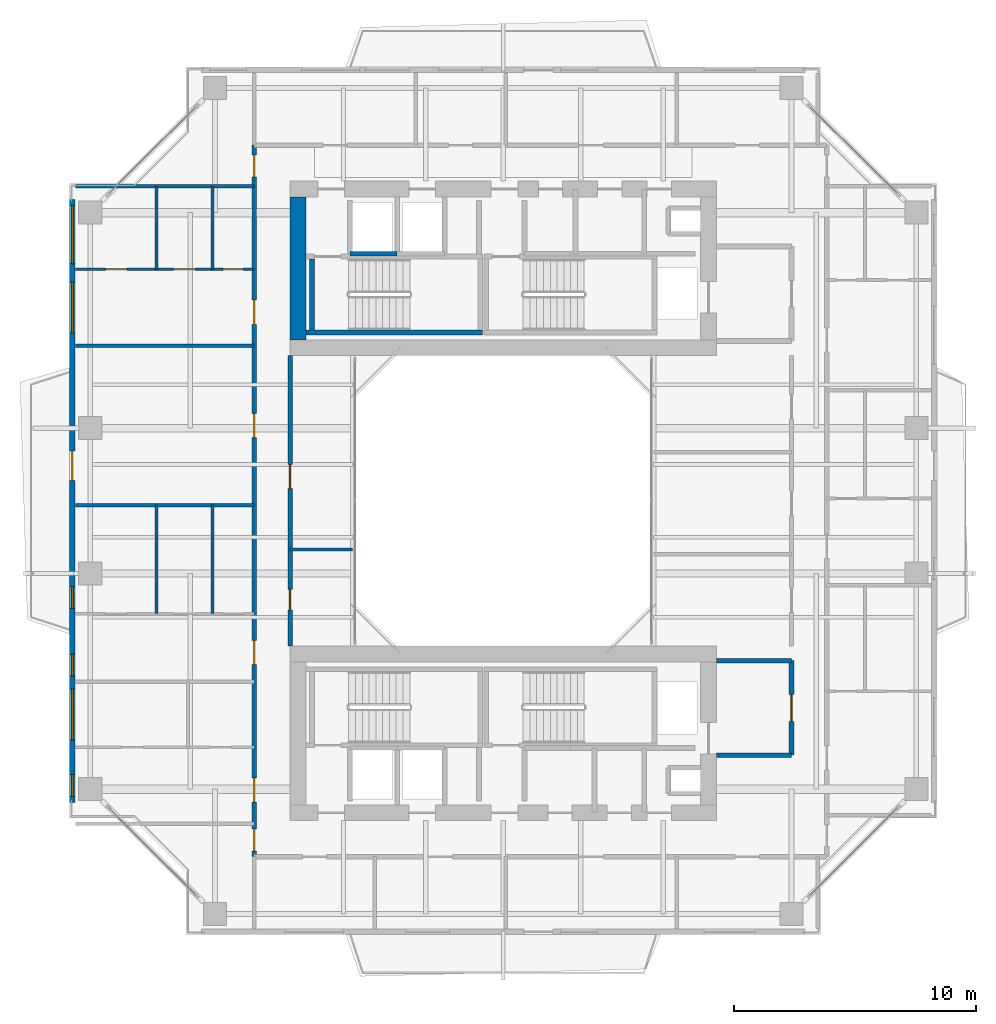
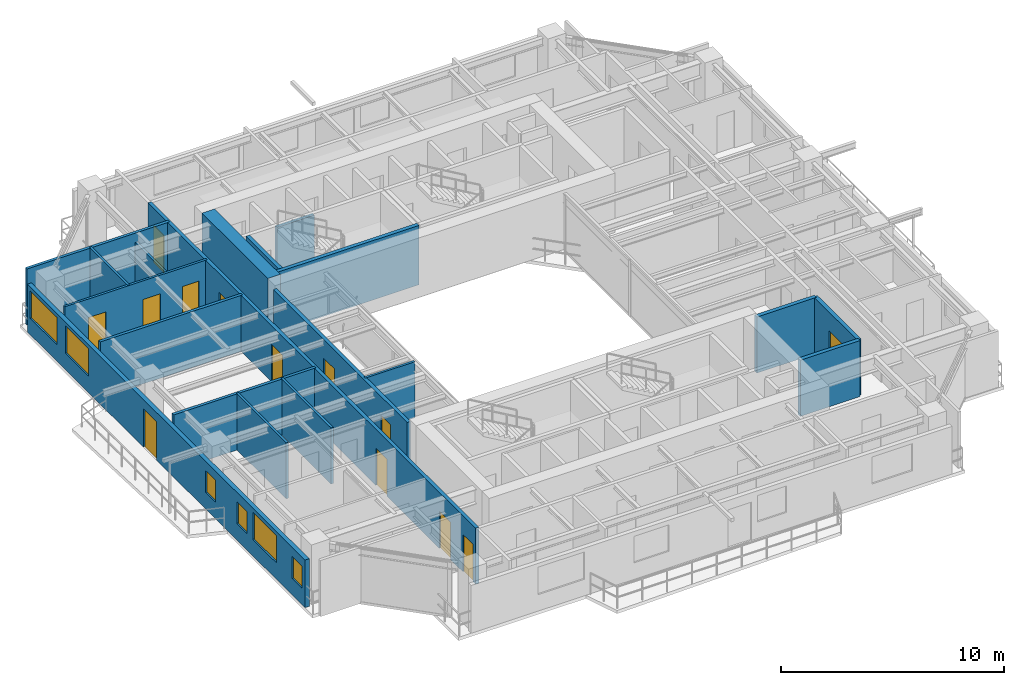
# One storey, part 12 of 18: 19 walls, 13 doors, 6 windows, 19 openings.
"""IFC4 building model written with IfcOpenShell, lengths in metres."""

from ifc_helpers import new_model, si_unit, direction, frame, frame_2d, origin, place, context, subcontext, project, spatial, rectangle, extrude, source, transform, mapped, material, layer, layer_set, type_object, element, fill, save


model = new_model("IFC4")

# Units and contexts
model_context = context("Model", 3, precision=1e-05, world=origin(), true_north=direction((0.0, 1.0)))
body_context = subcontext(model_context, "Body", "Model", "MODEL_VIEW")
ifc_project = project(units=[si_unit("LENGTHUNIT", "METRE"), si_unit("AREAUNIT", "SQUARE_METRE"), si_unit("VOLUMEUNIT", "CUBIC_METRE"), si_unit("PLANEANGLEUNIT", "RADIAN"), si_unit("MASSUNIT", "GRAM", prefix="KILO"), si_unit("THERMODYNAMICTEMPERATUREUNIT", "KELVIN"), si_unit("POWERUNIT", "WATT")], contexts=[model_context])

# Site, building, storey
site_placement = place(None, origin())
site = spatial("IfcSite", under=ifc_project, at=site_placement, CompositionType="ELEMENT")
building_placement = place(site_placement, origin())
building = spatial("IfcBuilding", under=site, at=building_placement, Name="Qiaomeng Ring Towers", CompositionType="ELEMENT")
storey_placement = place(building_placement, frame((0.0, 0.0, 179.5)))
storey = spatial("IfcBuildingStorey", under=building, at=storey_placement, Name="L52", CompositionType="ELEMENT", Elevation=179.5)

# Wall, openings, windows, door
ifc_material_1 = material(Name="Precast concrete C40", Category="concrete")
ifc_layer_1 = layer(ifc_material_1, 0.219970703125, Name="Precast concrete C40")
ifc_layer_set_1 = layer_set([ifc_layer_1], Name="Precast concrete C40")
wall_type_1 = type_object("IfcWallType", Name="ARC-WL-EW2", PredefinedType="STANDARD", material=ifc_layer_set_1)
wall_1_placement = place(storey_placement, frame((1.2099609375, 10.550048828125, 0.0), z_axis=(0.0, 0.0, 1.0), x_axis=(0.0, 1.0, 0.0)))
wall_1 = element("IfcWall", 1, at=wall_1_placement, inside=storey, type_object=wall_type_1, Name="L52 Tower 1 W Exterior Wall", PredefinedType="STANDARD", context=body_context, shape_type="SweptSolid", body=[
    extrude(rectangle(XDim=24.89990234375, YDim=0.219970703125, at=frame_2d((12.449951171875, 0.0))), origin(), (0.0, 0.0, 1.0), 2.610107421875),
])
opening_1_placement = place(wall_1_placement, frame((13.300048828125, 0.0, 0.0)))
opening_1 = element("IfcOpeningElement", 2, at=opening_1_placement, cuts=wall_1, Name="Opening BD1", PredefinedType="OPENING", context=body_context, shape_type="SweptSolid", body=[
    extrude(rectangle(XDim=1.199951171875, YDim=2.10009765625, at=frame_2d((0.60009765625, 1.050048828125))), frame((0.0, 0.119873046875, 0.0), z_axis=(0.0, -1.0, 0.0), x_axis=(1.0, 0.0, 0.0)), (0.0, 0.0, 1.0), 0.239990234375),
])
opening_2_placement = place(wall_1_placement, frame((2.572509765625, 0.0, 0.89990234375)))
opening_2 = element("IfcOpeningElement", 3, at=opening_2_placement, cuts=wall_1, Name="Opening WN4", PredefinedType="OPENING", context=body_context, shape_type="SweptSolid", body=[
    extrude(rectangle(XDim=2.10009765625, YDim=1.5, at=frame_2d((1.050048828125, 0.75))), frame((0.0, 0.119873046875, 0.0), z_axis=(0.0, -1.0, 0.0), x_axis=(1.0, 0.0, 0.0)), (0.0, 0.0, 1.0), 0.239990234375),
])
opening_3_placement = place(wall_1_placement, frame((19.387451171875, 0.0, 0.89990234375)))
opening_3 = element("IfcOpeningElement", 4, at=opening_3_placement, cuts=wall_1, Name="Opening WN4", PredefinedType="OPENING", context=body_context, shape_type="SweptSolid", body=[
    extrude(rectangle(XDim=2.10009765625, YDim=1.5, at=frame_2d((1.050048828125, 0.75))), frame((0.0, 0.119873046875, 0.0), z_axis=(0.0, -1.0, 0.0), x_axis=(1.0, 0.0, 0.0)), (0.0, 0.0, 1.0), 0.239990234375),
])
opening_4_placement = place(wall_1_placement, frame((22.239990234375, 0.0, 0.89990234375)))
opening_4 = element("IfcOpeningElement", 5, at=opening_4_placement, cuts=wall_1, Name="Opening WN6", PredefinedType="OPENING", context=body_context, shape_type="SweptSolid", body=[
    extrude(rectangle(XDim=2.39990234375, YDim=1.5, at=frame_2d((1.199951171875, 0.75))), frame((0.0, 0.119873046875, 0.0), z_axis=(0.0, -1.0, 0.0), x_axis=(1.0, 0.0, 0.0)), (0.0, 0.0, 1.0), 0.239990234375),
])
opening_5_placement = place(wall_1_placement, frame((0.25, 0.0, 0.89990234375)))
opening_5 = element("IfcOpeningElement", 6, at=opening_5_placement, cuts=wall_1, Name="Opening WN5", PredefinedType="OPENING", context=body_context, shape_type="SweptSolid", body=[
    extrude(rectangle(XDim=0.89990234375, YDim=1.199951171875, at=frame_2d((0.449951171875, 0.60009765625))), frame((0.0, 0.119873046875, 0.0), z_axis=(0.0, -1.0, 0.0), x_axis=(1.0, 0.0, 0.0)), (0.0, 0.0, 1.0), 0.239990234375),
])
opening_6_placement = place(wall_1_placement, frame((8.010009765625, 0.0, 0.89990234375)))
opening_6 = element("IfcOpeningElement", 7, at=opening_6_placement, cuts=wall_1, Name="Opening WN5", PredefinedType="OPENING", context=body_context, shape_type="SweptSolid", body=[
    extrude(rectangle(XDim=0.89990234375, YDim=1.199951171875, at=frame_2d((0.449951171875, 0.60009765625))), frame((0.0, 0.119873046875, 0.0), z_axis=(0.0, -1.0, 0.0), x_axis=(1.0, 0.0, 0.0)), (0.0, 0.0, 1.0), 0.239990234375),
])
opening_7_placement = place(wall_1_placement, frame((5.215087890625, 0.0, 0.89990234375)))
opening_7 = element("IfcOpeningElement", 8, at=opening_7_placement, cuts=wall_1, Name="Opening WN5", PredefinedType="OPENING", context=body_context, shape_type="SweptSolid", body=[
    extrude(rectangle(XDim=0.89990234375, YDim=1.199951171875, at=frame_2d((0.449951171875, 0.60009765625))), frame((0.0, 0.119873046875, 0.0), z_axis=(0.0, -1.0, 0.0), x_axis=(1.0, 0.0, 0.0)), (0.0, 0.0, 1.0), 0.239990234375),
])
ifc_material_2 = material(Name="Low-E dark-grey laminated double glazing", Category="glass")
window_type_1 = type_object("IfcWindowType", Name="ARC-WN-4", PartitioningType="TRIPLE_PANEL_VERTICAL", PredefinedType="WINDOW", material=ifc_material_2)
shared_shape_1 = source(origin(), body_context, "Body", "SweptSolid", [
    extrude(rectangle(XDim=2.10009765625, YDim=1.5, at=frame_2d((1.050048828125, 0.75))), frame((0.0, 0.030029296875, 0.0), z_axis=(0.0, -1.0, 0.0), x_axis=(1.0, 0.0, 0.0)), (0.0, 0.0, 1.0), 0.06005859375),
])
window_1_placement = place(opening_2_placement, origin())
window_1 = element("IfcWindow", 9, at=window_1_placement, inside=storey, type_object=window_type_1, Name="L52 Exterior Window WN6", OverallHeight=1.5, OverallWidth=2.10009765625, PartitioningType="TRIPLE_PANEL_VERTICAL", PredefinedType="WINDOW", context=body_context, shape_type="MappedRepresentation", body=[
    mapped(shared_shape_1, transform((0.0, 0.0, 0.0), x_axis=(1.0, 0.0, 0.0), y_axis=(0.0, 1.0, 0.0), z_axis=(0.0, 0.0, 1.0), scale=1.0)),
])
fill(opening_2, window_1)
window_2_placement = place(opening_3_placement, origin())
window_2 = element("IfcWindow", 10, at=window_2_placement, inside=storey, type_object=window_type_1, Name="L52 Exterior Window WN4", OverallHeight=1.5, OverallWidth=2.10009765625, PartitioningType="TRIPLE_PANEL_VERTICAL", PredefinedType="WINDOW", context=body_context, shape_type="MappedRepresentation", body=[
    mapped(shared_shape_1, transform((0.0, 0.0, 0.0), x_axis=(1.0, 0.0, 0.0), y_axis=(0.0, 1.0, 0.0), z_axis=(0.0, 0.0, 1.0), scale=1.0)),
])
fill(opening_3, window_2)
door_type_1 = type_object("IfcDoorType", Name="ARC-DR-BD1", OperationType="NOTDEFINED", PredefinedType="DOOR", material=ifc_material_2)
shared_shape_2 = source(origin(), body_context, "Body", "SweptSolid", [
    extrude(rectangle(XDim=1.199951171875, YDim=2.10009765625, at=frame_2d((0.60009765625, 1.050048828125))), frame((0.0, 0.02490234375, 0.0), z_axis=(0.0, -1.0, 0.0), x_axis=(1.0, 0.0, 0.0)), (0.0, 0.0, 1.0), 0.050048828125),
])
door_1_placement = place(opening_1_placement, frame((1.199951171875, 0.0, 0.0), z_axis=(0.0, 0.0, 1.0), x_axis=(-1.0, 0.0, 0.0)))
door_1 = element("IfcDoor", 11, at=door_1_placement, inside=storey, type_object=door_type_1, Name="L52 W Balcony Glazed Door", OperationType="SINGLE_SWING_LEFT", OverallHeight=2.10009765625, OverallWidth=1.199951171875, PredefinedType="DOOR", context=body_context, shape_type="MappedRepresentation", body=[
    mapped(shared_shape_2, transform((0.0, 0.0, 0.0), x_axis=(1.0, 0.0, 0.0), y_axis=(0.0, 1.0, 0.0), z_axis=(0.0, 0.0, 1.0), scale=1.0)),
])
fill(opening_1, door_1)
window_type_2 = type_object("IfcWindowType", Name="ARC-WN-6", PartitioningType="TRIPLE_PANEL_VERTICAL", PredefinedType="WINDOW", material=ifc_material_2)
shared_shape_3 = source(origin(), body_context, "Body", "SweptSolid", [
    extrude(rectangle(XDim=2.39990234375, YDim=1.5, at=frame_2d((1.199951171875, 0.75))), frame((0.0, 0.030029296875, 0.0), z_axis=(0.0, -1.0, 0.0), x_axis=(1.0, 0.0, 0.0)), (0.0, 0.0, 1.0), 0.06005859375),
])
window_3_placement = place(opening_4_placement, origin())
window_3 = element("IfcWindow", 12, at=window_3_placement, inside=storey, type_object=window_type_2, Name="L52 Exterior Window WN6", OverallHeight=1.5, OverallWidth=2.39990234375, PartitioningType="TRIPLE_PANEL_VERTICAL", PredefinedType="WINDOW", context=body_context, shape_type="MappedRepresentation", body=[
    mapped(shared_shape_3, transform((0.0, 0.0, 0.0), x_axis=(1.0, 0.0, 0.0), y_axis=(0.0, 1.0, 0.0), z_axis=(0.0, 0.0, 1.0), scale=1.0)),
])
fill(opening_4, window_3)
window_type_3 = type_object("IfcWindowType", Name="ARC-WN-5", PartitioningType="SINGLE_PANEL", PredefinedType="WINDOW", material=ifc_material_2)
shared_shape_4 = source(origin(), body_context, "Body", "SweptSolid", [
    extrude(rectangle(XDim=0.89990234375, YDim=1.199951171875, at=frame_2d((0.449951171875, 0.60009765625))), frame((0.0, 0.030029296875, 0.0), z_axis=(0.0, -1.0, 0.0), x_axis=(1.0, 0.0, 0.0)), (0.0, 0.0, 1.0), 0.06005859375),
])
window_4_placement = place(opening_5_placement, origin())
window_4 = element("IfcWindow", 13, at=window_4_placement, inside=storey, type_object=window_type_3, Name="L52 Exterior Window WN5", OverallHeight=1.199951171875, OverallWidth=0.89990234375, PartitioningType="SINGLE_PANEL", PredefinedType="WINDOW", context=body_context, shape_type="MappedRepresentation", body=[
    mapped(shared_shape_4, transform((0.0, 0.0, 0.0), x_axis=(1.0, 0.0, 0.0), y_axis=(0.0, 1.0, 0.0), z_axis=(0.0, 0.0, 1.0), scale=1.0)),
])
fill(opening_5, window_4)
window_5_placement = place(opening_6_placement, origin())
window_5 = element("IfcWindow", 14, at=window_5_placement, inside=storey, type_object=window_type_3, Name="L52 Exterior Window WN5", OverallHeight=1.199951171875, OverallWidth=0.89990234375, PartitioningType="SINGLE_PANEL", PredefinedType="WINDOW", context=body_context, shape_type="MappedRepresentation", body=[
    mapped(shared_shape_4, transform((0.0, 0.0, 0.0), x_axis=(1.0, 0.0, 0.0), y_axis=(0.0, 1.0, 0.0), z_axis=(0.0, 0.0, 1.0), scale=1.0)),
])
fill(opening_6, window_5)
window_6_placement = place(opening_7_placement, origin())
window_6 = element("IfcWindow", 15, at=window_6_placement, inside=storey, type_object=window_type_3, Name="L52 Exterior Window WN5", OverallHeight=1.199951171875, OverallWidth=0.89990234375, PartitioningType="SINGLE_PANEL", PredefinedType="WINDOW", context=body_context, shape_type="MappedRepresentation", body=[
    mapped(shared_shape_4, transform((0.0, 0.0, 0.0), x_axis=(1.0, 0.0, 0.0), y_axis=(0.0, 1.0, 0.0), z_axis=(0.0, 0.0, 1.0), scale=1.0)),
])
fill(opening_7, window_6)

# Walls
ifc_material_3 = material(Name="Autoclaved aerated concrete block", Category="concrete")
ifc_layer_2 = layer(ifc_material_3, 0.199951171875, Name="Autoclaved aerated concrete block")
ifc_layer_set_2 = layer_set([ifc_layer_2], Name="Autoclaved aerated concrete block")
wall_type_2 = type_object("IfcWallType", Name="ARC-WL-PW1", PredefinedType="PARTITIONING", material=ifc_layer_set_2)
for number, where, z_axis, x_axis, name in (
    (16, (27.800048828125, 16.39990234375, 0.0), (0.0, 0.0, 1.0), (1.0, 0.0, 0.0), "L52 Interior Wall PW1"),
    (17, (27.800048828125, 12.5, 0.0), (0.0, 0.0, 1.0), (1.0, 0.0, 0.0), "L52 Interior Wall PW1"),
):
    element("IfcWall", number, at=place(storey_placement, frame(where, z_axis=z_axis, x_axis=x_axis)), inside=storey, type_object=wall_type_2, Name=name, PredefinedType="PARTITIONING", context=body_context, shape_type="SweptSolid", body=[
        extrude(rectangle(XDim=3.099853515625, YDim=0.199951171875, at=frame_2d((1.5498046875, 0.0))), origin(), (0.0, 0.0, 1.0), 3.070068359375),
    ])

# Wall, opening, door
wall_2_placement = place(storey_placement, frame((30.89990234375, 12.5, 0.0), z_axis=(0.0, 0.0, 1.0), x_axis=(0.0, 1.0, 0.0)))
wall_2 = element("IfcWall", 18, at=wall_2_placement, inside=storey, type_object=wall_type_2, Name="L52 Interior Wall PW1", PredefinedType="PARTITIONING", context=body_context, shape_type="SweptSolid", body=[
    extrude(rectangle(XDim=3.89990234375, YDim=0.199951171875, at=frame_2d((1.949951171875, 0.0))), origin(), (0.0, 0.0, 1.0), 3.070068359375),
])
opening_8_placement = place(wall_2_placement, frame((1.39990234375, 0.0, 0.0)))
opening_8 = element("IfcOpeningElement", 19, at=opening_8_placement, cuts=wall_2, Name="Opening FD3", PredefinedType="OPENING", context=body_context, shape_type="SweptSolid", body=[
    extrude(rectangle(XDim=1.10009765625, YDim=2.050048828125, at=frame_2d((0.550048828125, 1.02490234375))), frame((0.0, 0.10986328125, 0.0), z_axis=(0.0, -1.0, 0.0), x_axis=(1.0, 0.0, 0.0)), (0.0, 0.0, 1.0), 0.219970703125),
])
ifc_material_4 = material(Name="Galvanised steel", Category="steel")
door_type_2 = type_object("IfcDoorType", Name="ARC-DR-FD3", OperationType="NOTDEFINED", PredefinedType="DOOR", material=ifc_material_4)
shared_shape_5 = source(origin(), body_context, "Body", "SweptSolid", [
    extrude(rectangle(XDim=1.10009765625, YDim=2.050048828125, at=frame_2d((0.550048828125, 1.02490234375))), frame((0.0, 0.02490234375, 0.0), z_axis=(0.0, -1.0, 0.0), x_axis=(1.0, 0.0, 0.0)), (0.0, 0.0, 1.0), 0.050048828125),
])
door_2_placement = place(opening_8_placement, origin())
door_2 = element("IfcDoor", 20, at=door_2_placement, inside=storey, type_object=door_type_2, Name="L52 South FF Lobby Door", OperationType="SINGLE_SWING_RIGHT", OverallHeight=2.050048828125, OverallWidth=1.10009765625, PredefinedType="DOOR", context=body_context, shape_type="MappedRepresentation", body=[
    mapped(shared_shape_5, transform((0.0, 0.0, 0.0), x_axis=(1.0, 0.0, 0.0), y_axis=(0.0, 1.0, 0.0), z_axis=(0.0, 0.0, 1.0), scale=1.0)),
])
fill(opening_8, door_2)

# Wall, openings, doors
ifc_layer_3 = layer(ifc_material_3, 0.179931640625, Name="Autoclaved aerated concrete block")
ifc_layer_set_3 = layer_set([ifc_layer_3], Name="Autoclaved aerated concrete block")
wall_type_3 = type_object("IfcWallType", Name="ARC-WL-PW2", PredefinedType="PARTITIONING", material=ifc_layer_set_3)
wall_3_placement = place(storey_placement, frame((8.719970703125, 8.31005859375, 0.0), z_axis=(0.0, 0.0, 1.0), x_axis=(0.0, 1.0, 0.0)))
wall_3 = element("IfcWall", 21, at=wall_3_placement, inside=storey, type_object=wall_type_3, Name="L52 Interior Wall PW2", PredefinedType="PARTITIONING", context=body_context, shape_type="SweptSolid", body=[
    extrude(rectangle(XDim=29.369873046875, YDim=0.179931640625, at=frame_2d((14.68505859375, 0.0))), origin(), (0.0, 0.0, 1.0), 3.070068359375),
])
opening_9_placement = place(wall_3_placement, frame((28.06005859375, 0.0, 0.0)))
opening_9 = element("IfcOpeningElement", 22, at=opening_9_placement, cuts=wall_3, Name="Opening ID1", PredefinedType="OPENING", context=body_context, shape_type="SweptSolid", body=[
    extrude(rectangle(XDim=0.89990234375, YDim=2.050048828125, at=frame_2d((0.449951171875, 1.02490234375))), frame((0.0, 0.099853515625, 0.0), z_axis=(0.0, -1.0, 0.0), x_axis=(1.0, 0.0, 0.0)), (0.0, 0.0, 1.0), 0.199951171875),
])
opening_10_placement = place(wall_3_placement, frame((0.239990234375, 0.0, 0.0)))
opening_10 = element("IfcOpeningElement", 23, at=opening_10_placement, cuts=wall_3, Name="Opening ID1", PredefinedType="OPENING", context=body_context, shape_type="SweptSolid", body=[
    extrude(rectangle(XDim=0.89990234375, YDim=2.050048828125, at=frame_2d((0.449951171875, 1.02490234375))), frame((0.0, 0.099853515625, 0.0), z_axis=(0.0, -1.0, 0.0), x_axis=(1.0, 0.0, 0.0)), (0.0, 0.0, 1.0), 0.199951171875),
])
opening_11_placement = place(wall_3_placement, frame((2.25, 0.0, 0.0)))
opening_11 = element("IfcOpeningElement", 24, at=opening_11_placement, cuts=wall_3, Name="Opening FD4", PredefinedType="OPENING", context=body_context, shape_type="SweptSolid", body=[
    extrude(rectangle(XDim=1.0, YDim=2.050048828125, at=frame_2d((0.5, 1.02490234375))), frame((0.0, 0.099853515625, 0.0), z_axis=(0.0, -1.0, 0.0), x_axis=(1.0, 0.0, 0.0)), (0.0, 0.0, 1.0), 0.199951171875),
])
opening_12_placement = place(wall_3_placement, frame((7.93505859375, 0.0, 0.0)))
opening_12 = element("IfcOpeningElement", 25, at=opening_12_placement, cuts=wall_3, Name="Opening FD4", PredefinedType="OPENING", context=body_context, shape_type="SweptSolid", body=[
    extrude(rectangle(XDim=1.0, YDim=2.050048828125, at=frame_2d((0.5, 1.02490234375))), frame((0.0, 0.099853515625, 0.0), z_axis=(0.0, -1.0, 0.0), x_axis=(1.0, 0.0, 0.0)), (0.0, 0.0, 1.0), 0.199951171875),
])
opening_13_placement = place(wall_3_placement, frame((17.300048828125, 0.0, 0.0)))
opening_13 = element("IfcOpeningElement", 26, at=opening_13_placement, cuts=wall_3, Name="Opening FD4", PredefinedType="OPENING", context=body_context, shape_type="SweptSolid", body=[
    extrude(rectangle(XDim=1.0, YDim=2.050048828125, at=frame_2d((0.5, 1.02490234375))), frame((0.0, 0.099853515625, 0.0), z_axis=(0.0, -1.0, 0.0), x_axis=(1.0, 0.0, 0.0)), (0.0, 0.0, 1.0), 0.199951171875),
])
opening_14_placement = place(wall_3_placement, frame((21.97998046875, 0.0, 0.0)))
opening_14 = element("IfcOpeningElement", 27, at=opening_14_placement, cuts=wall_3, Name="Opening FD4", PredefinedType="OPENING", context=body_context, shape_type="SweptSolid", body=[
    extrude(rectangle(XDim=1.0, YDim=2.050048828125, at=frame_2d((0.5, 1.02490234375))), frame((0.0, 0.099853515625, 0.0), z_axis=(0.0, -1.0, 0.0), x_axis=(1.0, 0.0, 0.0)), (0.0, 0.0, 1.0), 0.199951171875),
])
ifc_material_5 = material(Name="Engineered fire-rated oak timber", Category="wood")
door_type_3 = type_object("IfcDoorType", Name="ARC-DR-FD4", OperationType="NOTDEFINED", PredefinedType="DOOR", material=ifc_material_5)
shared_shape_6 = source(origin(), body_context, "Body", "SweptSolid", [
    extrude(rectangle(XDim=1.0, YDim=2.050048828125, at=frame_2d((0.5, 1.02490234375))), frame((0.0, 0.02490234375, 0.0), z_axis=(0.0, -1.0, 0.0), x_axis=(1.0, 0.0, 0.0)), (0.0, 0.0, 1.0), 0.050048828125),
])
door_3_placement = place(opening_11_placement, origin())
door_3 = element("IfcDoor", 28, at=door_3_placement, inside=storey, type_object=door_type_3, Name="L52 Door FD4", OperationType="SINGLE_SWING_LEFT", OverallHeight=2.050048828125, OverallWidth=1.0, PredefinedType="DOOR", context=body_context, shape_type="MappedRepresentation", body=[
    mapped(shared_shape_6, transform((0.0, 0.0, 0.0), x_axis=(1.0, 0.0, 0.0), y_axis=(0.0, 1.0, 0.0), z_axis=(0.0, 0.0, 1.0), scale=1.0)),
])
fill(opening_11, door_3)
door_4_placement = place(opening_12_placement, origin())
door_4 = element("IfcDoor", 29, at=door_4_placement, inside=storey, type_object=door_type_3, Name="L52 Door FD4", OperationType="SINGLE_SWING_LEFT", OverallHeight=2.050048828125, OverallWidth=1.0, PredefinedType="DOOR", context=body_context, shape_type="MappedRepresentation", body=[
    mapped(shared_shape_6, transform((0.0, 0.0, 0.0), x_axis=(1.0, 0.0, 0.0), y_axis=(0.0, 1.0, 0.0), z_axis=(0.0, 0.0, 1.0), scale=1.0)),
])
fill(opening_12, door_4)
door_5_placement = place(opening_13_placement, origin())
door_5 = element("IfcDoor", 30, at=door_5_placement, inside=storey, type_object=door_type_3, Name="L52 Door FD4", OperationType="SINGLE_SWING_RIGHT", OverallHeight=2.050048828125, OverallWidth=1.0, PredefinedType="DOOR", context=body_context, shape_type="MappedRepresentation", body=[
    mapped(shared_shape_6, transform((0.0, 0.0, 0.0), x_axis=(1.0, 0.0, 0.0), y_axis=(0.0, 1.0, 0.0), z_axis=(0.0, 0.0, 1.0), scale=1.0)),
])
fill(opening_13, door_5)
door_6_placement = place(opening_14_placement, origin())
door_6 = element("IfcDoor", 31, at=door_6_placement, inside=storey, type_object=door_type_3, Name="L52 Door FD4", OperationType="SINGLE_SWING_RIGHT", OverallHeight=2.050048828125, OverallWidth=1.0, PredefinedType="DOOR", context=body_context, shape_type="MappedRepresentation", body=[
    mapped(shared_shape_6, transform((0.0, 0.0, 0.0), x_axis=(1.0, 0.0, 0.0), y_axis=(0.0, 1.0, 0.0), z_axis=(0.0, 0.0, 1.0), scale=1.0)),
])
fill(opening_14, door_6)
ifc_material_6 = material(Name="Engineered oak timber", Category="wood")
door_type_4 = type_object("IfcDoorType", Name="ARC-DR-ID1", OperationType="NOTDEFINED", PredefinedType="DOOR", material=ifc_material_6)
shared_shape_7 = source(origin(), body_context, "Body", "SweptSolid", [
    extrude(rectangle(XDim=0.89990234375, YDim=2.050048828125, at=frame_2d((0.449951171875, 1.02490234375))), frame((0.0, 0.02490234375, 0.0), z_axis=(0.0, -1.0, 0.0), x_axis=(1.0, 0.0, 0.0)), (0.0, 0.0, 1.0), 0.050048828125),
])
door_7_placement = place(opening_9_placement, origin())
door_7 = element("IfcDoor", 32, at=door_7_placement, inside=storey, type_object=door_type_4, Name="L52 Door ID1", OperationType="SINGLE_SWING_LEFT", OverallHeight=2.050048828125, OverallWidth=0.89990234375, PredefinedType="DOOR", context=body_context, shape_type="MappedRepresentation", body=[
    mapped(shared_shape_7, transform((0.0, 0.0, 0.0), x_axis=(1.0, 0.0, 0.0), y_axis=(0.0, 1.0, 0.0), z_axis=(0.0, 0.0, 1.0), scale=1.0)),
])
fill(opening_9, door_7)
door_8_placement = place(opening_10_placement, origin())
door_8 = element("IfcDoor", 33, at=door_8_placement, inside=storey, type_object=door_type_4, Name="L52 Door ID1", OperationType="SINGLE_SWING_RIGHT", OverallHeight=2.050048828125, OverallWidth=0.89990234375, PredefinedType="DOOR", context=body_context, shape_type="MappedRepresentation", body=[
    mapped(shared_shape_7, transform((0.0, 0.0, 0.0), x_axis=(1.0, 0.0, 0.0), y_axis=(0.0, 1.0, 0.0), z_axis=(0.0, 0.0, 1.0), scale=1.0)),
])
fill(opening_10, door_8)

wall_4_placement = place(storey_placement, frame((10.199951171875, 17.0, 0.0), z_axis=(0.0, 0.0, 1.0), x_axis=(0.0, 1.0, 0.0)))
wall_4 = element("IfcWall", 34, at=wall_4_placement, inside=storey, type_object=wall_type_3, Name="L52 Interior Wall PW2", PredefinedType="PARTITIONING", context=body_context, shape_type="SweptSolid", body=[
    extrude(rectangle(XDim=12.0, YDim=0.179931640625, at=frame_2d((6.0, 0.0))), origin(), (0.0, 0.0, 1.0), 3.070068359375),
])
opening_15_placement = place(wall_4_placement, frame((1.5, 0.0, 0.0)))
opening_15 = element("IfcOpeningElement", 35, at=opening_15_placement, cuts=wall_4, Name="Opening ID2", PredefinedType="OPENING", context=body_context, shape_type="SweptSolid", body=[
    extrude(rectangle(XDim=0.85009765625, YDim=2.050048828125, at=frame_2d((0.425048828125, 1.02490234375))), frame((0.0, 0.099853515625, 0.0), z_axis=(0.0, -1.0, 0.0), x_axis=(1.0, 0.0, 0.0)), (0.0, 0.0, 1.0), 0.199951171875),
])
opening_16_placement = place(wall_4_placement, frame((6.5, 0.0, 0.0)))
opening_16 = element("IfcOpeningElement", 36, at=opening_16_placement, cuts=wall_4, Name="Opening FD4", PredefinedType="OPENING", context=body_context, shape_type="SweptSolid", body=[
    extrude(rectangle(XDim=1.0, YDim=2.050048828125, at=frame_2d((0.5, 1.02490234375))), frame((0.0, 0.099853515625, 0.0), z_axis=(0.0, -1.0, 0.0), x_axis=(1.0, 0.0, 0.0)), (0.0, 0.0, 1.0), 0.199951171875),
])
door_9_placement = place(opening_16_placement, origin())
door_9 = element("IfcDoor", 37, at=door_9_placement, inside=storey, type_object=door_type_3, Name="L52 Door FD4", OperationType="SINGLE_SWING_RIGHT", OverallHeight=2.050048828125, OverallWidth=1.0, PredefinedType="DOOR", context=body_context, shape_type="MappedRepresentation", body=[
    mapped(shared_shape_6, transform((0.0, 0.0, 0.0), x_axis=(1.0, 0.0, 0.0), y_axis=(0.0, 1.0, 0.0), z_axis=(0.0, 0.0, 1.0), scale=1.0)),
])
fill(opening_16, door_9)
ifc_material_7 = material(Name="Moisture-resistant engineered timber", Category="wood")
door_type_5 = type_object("IfcDoorType", Name="ARC-DR-ID2", OperationType="NOTDEFINED", PredefinedType="DOOR", material=ifc_material_7)
shared_shape_8 = source(origin(), body_context, "Body", "SweptSolid", [
    extrude(rectangle(XDim=0.85009765625, YDim=2.050048828125, at=frame_2d((0.425048828125, 1.02490234375))), frame((0.0, 0.02490234375, 0.0), z_axis=(0.0, -1.0, 0.0), x_axis=(1.0, 0.0, 0.0)), (0.0, 0.0, 1.0), 0.050048828125),
])
door_10_placement = place(opening_15_placement, origin())
door_10 = element("IfcDoor", 38, at=door_10_placement, inside=storey, type_object=door_type_5, Name="L52 Door ID2", OperationType="SINGLE_SWING_LEFT", OverallHeight=2.050048828125, OverallWidth=0.85009765625, PredefinedType="DOOR", context=body_context, shape_type="MappedRepresentation", body=[
    mapped(shared_shape_8, transform((0.0, 0.0, 0.0), x_axis=(1.0, 0.0, 0.0), y_axis=(0.0, 1.0, 0.0), z_axis=(0.0, 0.0, 1.0), scale=1.0)),
])
fill(opening_15, door_10)

# Walls
ifc_material_8 = material(Name="Gypsum fireboard steel-stud partition", Category="steel")
ifc_layer_4 = layer(ifc_material_8, 0.14990234375, Name="Gypsum fireboard steel-stud partition")
ifc_layer_set_4 = layer_set([ifc_layer_4], Name="Gypsum fireboard steel-stud partition")
wall_type_4 = type_object("IfcWallType", Name="ARC-WL-PW3", PredefinedType="PARTITIONING", material=ifc_layer_set_4)
for number, where, z_axis, x_axis, name in (
    (39, (1.35009765625, 35.97998046875, 0.0), (0.0, 0.0, 1.0), (1.0, 0.0, 0.0), "L52 Interior Wall PW3"),
    (40, (1.35009765625, 22.820068359375, 0.0), (0.0, 0.0, 1.0), (1.0, 0.0, 0.0), "L52 Interior Wall PW3"),
    (41, (1.35009765625, 29.39990234375, 0.0), (0.0, 0.0, 1.0), (1.0, 0.0, 0.0), "L52 Interior Wall PW3"),
):
    element("IfcWall", number, at=place(storey_placement, frame(where, z_axis=z_axis, x_axis=x_axis)), inside=storey, type_object=wall_type_4, Name=name, PredefinedType="PARTITIONING", context=body_context, shape_type="SweptSolid", body=[
        extrude(rectangle(XDim=7.369873046875, YDim=0.14990234375, at=frame_2d((3.68505859375, 0.0))), origin(), (0.0, 0.0, 1.0), 3.070068359375),
    ])
ifc_material_9 = material(Name="Moisture-resistant gypsum steel-stud partition", Category="steel")
ifc_layer_5 = layer(ifc_material_9, 0.1201171875, Name="Moisture-resistant gypsum steel-stud partition")
ifc_layer_set_5 = layer_set([ifc_layer_5], Name="Moisture-resistant gypsum steel-stud partition")
wall_type_5 = type_object("IfcWallType", Name="ARC-WL-PW4", PredefinedType="PLUMBINGWALL", material=ifc_layer_set_5)
for number, where, z_axis, x_axis, name in (
    (42, (4.679931640625, 18.340087890625, 0.0), (0.0, 0.0, 1.0), (0.0, 1.0, 0.0), "L52 Interior Wall PW4"),
    (43, (7.0, 18.340087890625, 0.0), (0.0, 0.0, 1.0), (0.0, 1.0, 0.0), "L52 Interior Wall PW4"),
):
    element("IfcWall", number, at=place(storey_placement, frame(where, z_axis=z_axis, x_axis=x_axis)), inside=storey, type_object=wall_type_5, Name=name, PredefinedType="PLUMBINGWALL", context=body_context, shape_type="SweptSolid", body=[
        extrude(rectangle(XDim=4.47998046875, YDim=0.1201171875, at=frame_2d((2.239990234375, 0.0))), origin(), (0.0, 0.0, 1.0), 3.070068359375),
    ])

# Wall, openings, doors
wall_5_placement = place(storey_placement, frame((1.35009765625, 32.56005859375, 0.0), z_axis=(0.0, 0.0, 1.0), x_axis=(1.0, 0.0, 0.0)))
wall_5 = element("IfcWall", 44, at=wall_5_placement, inside=storey, type_object=wall_type_5, Name="L52 Interior Wall PW4", PredefinedType="PLUMBINGWALL", context=body_context, shape_type="SweptSolid", body=[
    extrude(rectangle(XDim=7.369873046875, YDim=0.1201171875, at=frame_2d((3.68505859375, 0.0))), origin(), (0.0, 0.0, 1.0), 3.070068359375),
])
opening_17_placement = place(wall_5_placement, frame((1.22509765625, 0.0, 0.0)))
opening_17 = element("IfcOpeningElement", 45, at=opening_17_placement, cuts=wall_5, Name="Opening ID1", PredefinedType="OPENING", context=body_context, shape_type="SweptSolid", body=[
    extrude(rectangle(XDim=0.89990234375, YDim=2.050048828125, at=frame_2d((0.449951171875, 1.02490234375))), frame((0.0, 0.070068359375, 0.0), z_axis=(0.0, -1.0, 0.0), x_axis=(1.0, 0.0, 0.0)), (0.0, 0.0, 1.0), 0.14013671875),
])
opening_18_placement = place(wall_5_placement, frame((4.0400390625, 0.0, 0.0)))
opening_18 = element("IfcOpeningElement", 46, at=opening_18_placement, cuts=wall_5, Name="Opening ID1", PredefinedType="OPENING", context=body_context, shape_type="SweptSolid", body=[
    extrude(rectangle(XDim=0.89990234375, YDim=2.050048828125, at=frame_2d((0.449951171875, 1.02490234375))), frame((0.0, 0.070068359375, 0.0), z_axis=(0.0, -1.0, 0.0), x_axis=(1.0, 0.0, 0.0)), (0.0, 0.0, 1.0), 0.14013671875),
])
opening_19_placement = place(wall_5_placement, frame((6.074951171875, 0.0, 0.0)))
opening_19 = element("IfcOpeningElement", 47, at=opening_19_placement, cuts=wall_5, Name="Opening ID2", PredefinedType="OPENING", context=body_context, shape_type="SweptSolid", body=[
    extrude(rectangle(XDim=0.85009765625, YDim=2.050048828125, at=frame_2d((0.425048828125, 1.02490234375))), frame((0.0, 0.070068359375, 0.0), z_axis=(0.0, -1.0, 0.0), x_axis=(1.0, 0.0, 0.0)), (0.0, 0.0, 1.0), 0.14013671875),
])
door_11_placement = place(opening_19_placement, origin())
door_11 = element("IfcDoor", 48, at=door_11_placement, inside=storey, type_object=door_type_5, Name="L52 Door ID2", OperationType="SINGLE_SWING_LEFT", OverallHeight=2.050048828125, OverallWidth=0.85009765625, PredefinedType="DOOR", context=body_context, shape_type="MappedRepresentation", body=[
    mapped(shared_shape_8, transform((0.0, 0.0, 0.0), x_axis=(1.0, 0.0, 0.0), y_axis=(0.0, 1.0, 0.0), z_axis=(0.0, 0.0, 1.0), scale=1.0)),
])
fill(opening_19, door_11)
door_12_placement = place(opening_17_placement, origin())
door_12 = element("IfcDoor", 49, at=door_12_placement, inside=storey, type_object=door_type_4, Name="L52 Door ID1", OperationType="SINGLE_SWING_LEFT", OverallHeight=2.050048828125, OverallWidth=0.89990234375, PredefinedType="DOOR", context=body_context, shape_type="MappedRepresentation", body=[
    mapped(shared_shape_7, transform((0.0, 0.0, 0.0), x_axis=(1.0, 0.0, 0.0), y_axis=(0.0, 1.0, 0.0), z_axis=(0.0, 0.0, 1.0), scale=1.0)),
])
fill(opening_17, door_12)
door_13_placement = place(opening_18_placement, origin())
door_13 = element("IfcDoor", 50, at=door_13_placement, inside=storey, type_object=door_type_4, Name="L52 Door ID1", OperationType="SINGLE_SWING_RIGHT", OverallHeight=2.050048828125, OverallWidth=0.89990234375, PredefinedType="DOOR", context=body_context, shape_type="MappedRepresentation", body=[
    mapped(shared_shape_7, transform((0.0, 0.0, 0.0), x_axis=(1.0, 0.0, 0.0), y_axis=(0.0, 1.0, 0.0), z_axis=(0.0, 0.0, 1.0), scale=1.0)),
])
fill(opening_18, door_13)

# Walls
wall_6_placement = place(storey_placement, frame((4.679931640625, 32.56005859375, 0.0), z_axis=(0.0, 0.0, 1.0), x_axis=(0.0, 1.0, 0.0)))
element("IfcWall", 51, at=wall_6_placement, inside=storey, type_object=wall_type_5, Name="L52 Interior Wall PW4", PredefinedType="PLUMBINGWALL", context=body_context, shape_type="SweptSolid", body=[
    extrude(rectangle(XDim=3.419921875, YDim=0.1201171875, at=frame_2d((1.7099609375, 0.0))), origin(), (0.0, 0.0, 1.0), 3.070068359375),
])
wall_7_placement = place(storey_placement, frame((7.0, 32.56005859375, 0.0), z_axis=(0.0, 0.0, 1.0), x_axis=(0.0, 1.0, 0.0)))
element("IfcWall", 52, at=wall_7_placement, inside=storey, type_object=wall_type_5, Name="L52 Interior Wall PW4", PredefinedType="PLUMBINGWALL", context=body_context, shape_type="SweptSolid", body=[
    extrude(rectangle(XDim=3.419921875, YDim=0.1201171875, at=frame_2d((1.7099609375, 0.0))), origin(), (0.0, 0.0, 1.0), 2.56494140625),
])
wall_8_placement = place(storey_placement, frame((10.199951171875, 21.0, 0.0), z_axis=(0.0, 0.0, 1.0), x_axis=(1.0, 0.0, 0.0)))
element("IfcWall", 53, at=wall_8_placement, inside=storey, type_object=wall_type_5, Name="L52 Interior Wall PW4", PredefinedType="PLUMBINGWALL", context=body_context, shape_type="SweptSolid", body=[
    extrude(rectangle(XDim=2.580078125, YDim=0.1201171875, at=frame_2d((1.2900390625, 0.0))), origin(), (0.0, 0.0, 1.0), 3.070068359375),
])
ifc_material_10 = material(Name="Concrete C40", Category="concrete")
ifc_layer_6 = layer(ifc_material_10, 0.199951171875, Name="Concrete C40")
ifc_layer_set_6 = layer_set([ifc_layer_6], Name="Concrete C40")
wall_type_6 = type_object("IfcWallType", Name="STR-WL-STSHAFT", PredefinedType="SHEAR", material=ifc_layer_set_6)
wall_9_placement = place(storey_placement, frame((12.679931640625, 33.199951171875, 0.0), z_axis=(0.0, 0.0, 1.0), x_axis=(1.0, 0.0, 0.0)))
element("IfcWall", 54, at=wall_9_placement, inside=storey, type_object=wall_type_6, Name="L52 Lift LP5 Shaft Back Wall", PredefinedType="SHEAR", context=body_context, shape_type="SweptSolid", body=[
    extrude(rectangle(XDim=1.940185546875, YDim=0.179931640625, at=frame_2d((0.97021484375, 0.0))), origin(), (0.0, 0.0, 1.0), 3.070068359375),
])
wall_10_placement = place(storey_placement, frame((10.85009765625, 29.949951171875, 0.0), z_axis=(0.0, 0.0, 1.0), x_axis=(1.0, 0.0, 0.0)))
element("IfcWall", 55, at=wall_10_placement, inside=storey, type_object=wall_type_6, Name="L52 Stair ST1 South Shaft Shear Wall", PredefinedType="SHEAR", context=body_context, shape_type="SweptSolid", body=[
    extrude(rectangle(XDim=7.2998046875, YDim=0.199951171875, at=frame_2d((3.64990234375, 0.0))), origin(), (0.0, 0.0, 1.0), 3.25),
])
wall_11_placement = place(storey_placement, frame((11.10009765625, 30.050048828125, 0.0), z_axis=(0.0, 0.0, 1.0), x_axis=(0.0, 1.0, 0.0)))
element("IfcWall", 56, at=wall_11_placement, inside=storey, type_object=wall_type_6, Name="L52 Stair ST1 West Shaft Shear Wall", PredefinedType="SHEAR", context=body_context, shape_type="SweptSolid", body=[
    extrude(rectangle(XDim=2.93994140625, YDim=0.199951171875, at=frame_2d((1.469970703125, 0.0))), origin(), (0.0, 0.0, 1.0), 3.25),
])
ifc_material_11 = material(Name="Concrete C50", Category="concrete")
ifc_layer_7 = layer(ifc_material_11, 0.64990234375, Name="Concrete C50")
ifc_layer_set_7 = layer_set([ifc_layer_7], Name="Concrete C50")
wall_type_7 = type_object("IfcWallType", Name="STR-WL-SW2B", PredefinedType="SHEAR", material=ifc_layer_set_7)
wall_12_placement = place(storey_placement, frame((10.52490234375, 29.64990234375, 0.0), z_axis=(0.0, 0.0, 1.0), x_axis=(0.0, 1.0, 0.0)))
element("IfcWall", 57, at=wall_12_placement, inside=storey, type_object=wall_type_7, Name="L52 T1NC west core shear wall", PredefinedType="SHEAR", context=body_context, shape_type="SweptSolid", body=[
    extrude(rectangle(XDim=5.900146484375, YDim=0.64990234375, at=frame_2d((2.9501953125, 0.0))), origin(), (0.0, 0.0, 1.0), 3.25),
])

save(model, "model.ifc")
